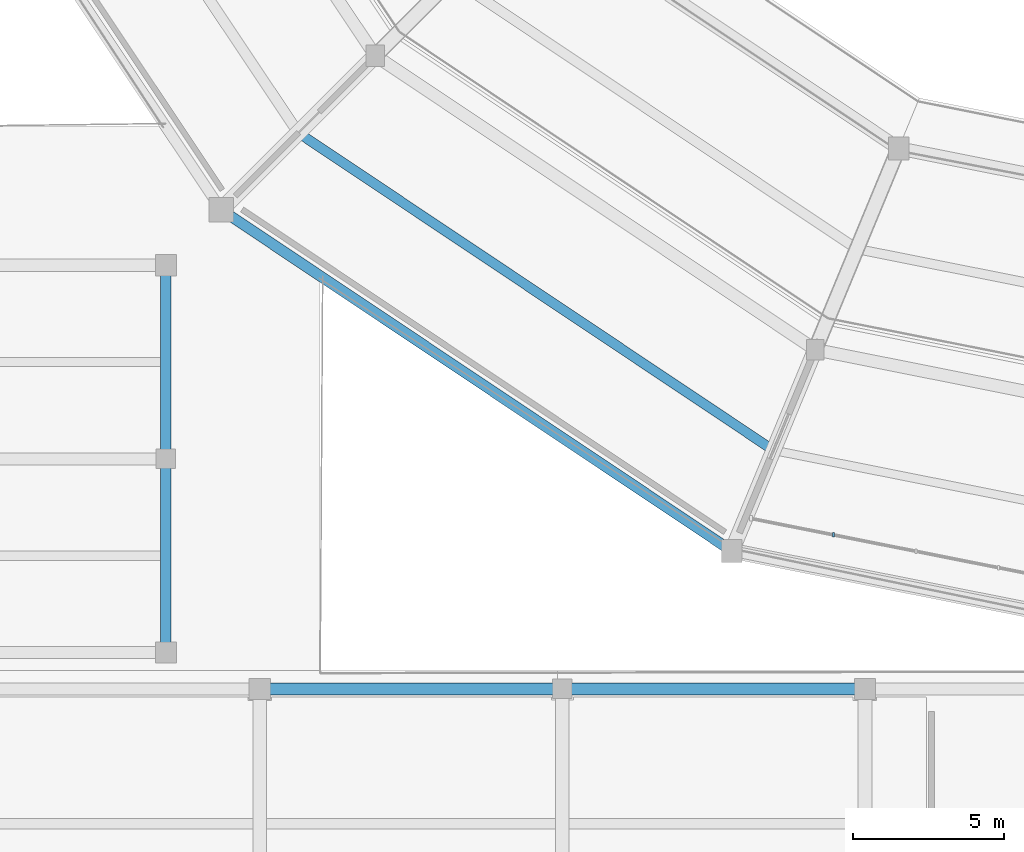
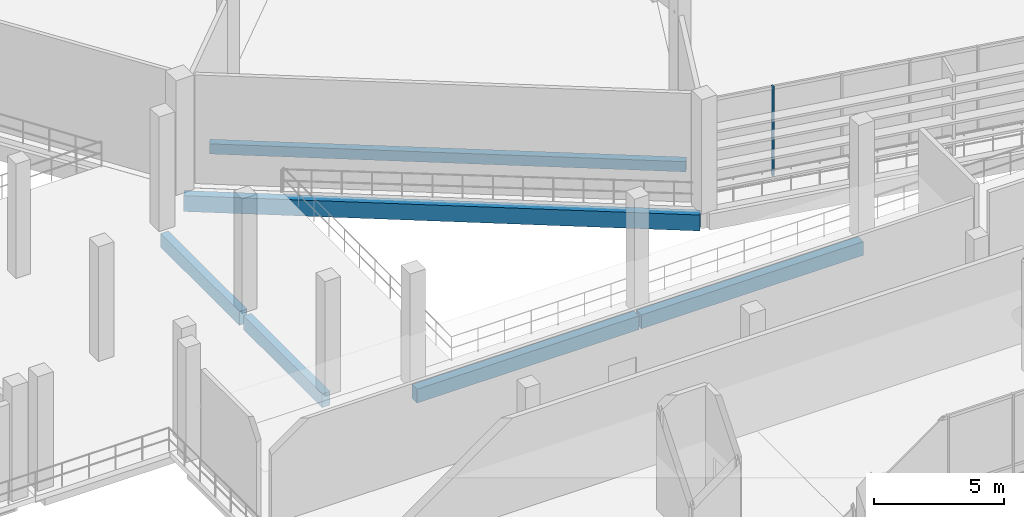
# One storey, part 14 of 127: 6 beams, 1 member, 1 element without a shape of its own.
"""IFC4 building model written with IfcOpenShell, lengths in metres."""

from ifc_helpers import new_model, si_unit, direction, frame, origin, origin_2d, place, context, subcontext, project, spatial, rectangle, extrude, material, material_profile, profile_set, type_object, element, aggregate, save


model = new_model("IFC4")

# Units and contexts
model_context = context("Model", 3, precision=1e-05, world=origin(), true_north=direction((0.0, 1.0)))
body_context = subcontext(model_context, "Body", "Model", "MODEL_VIEW")
ifc_project = project(units=[si_unit("LENGTHUNIT", "METRE"), si_unit("AREAUNIT", "SQUARE_METRE"), si_unit("VOLUMEUNIT", "CUBIC_METRE"), si_unit("PLANEANGLEUNIT", "RADIAN"), si_unit("MASSUNIT", "GRAM", prefix="KILO")], contexts=[model_context])

# Site, building, storey
site_placement = place(None, origin())
site = spatial("IfcSite", under=ifc_project, at=site_placement, CompositionType="ELEMENT")
building_placement = place(site_placement, origin())
building = spatial("IfcBuilding", under=site, at=building_placement, Name="Candeia Ridge Stadium", CompositionType="ELEMENT")
storey_placement = place(building_placement, frame((0.0, 0.0, 10.800048828125)))
storey = spatial("IfcBuildingStorey", under=building, at=storey_placement, Name="L02", CompositionType="ELEMENT", Elevation=10.800048828125)

# Curtain wall, member
ifc_material_1 = material(Name="Aluminium Anodized Warm Bronze", Category="aluminium")
curtain_wall_type = type_object("IfcCurtainWallType", Name="Concourse Recessed Unitised Curtain Wall", PredefinedType="NOTDEFINED", material=ifc_material_1)
curtain_wall_placement = place(storey_placement, origin())
curtain_wall = element("IfcCurtainWall", 1, at=curtain_wall_placement, inside=storey, type_object=curtain_wall_type, Name="Unitised curtain wall CW-BWL-L02-17", PredefinedType="NOTDEFINED")
ifc_material_profile_1 = material_profile(ifc_material_1, rectangle(XDim=0.074951171875, YDim=0.14990234375, at=origin_2d()), Name="CWM-75x150", Category="aluminium")
ifc_profile_set_1 = profile_set([ifc_material_profile_1], Name="Aluminium Anodized Warm Bronze")
member_type = type_object("IfcMemberType", Name="Curtain Wall Secondary Mullion 75x150", PredefinedType="MULLION", material=ifc_profile_set_1)
member_placement = place(storey_placement, frame((54.462890625, 23.489501953125, 0.0), z_axis=(0.0, 0.0, 1.0), x_axis=(1.0, 0.0, 0.0)))
member = element("IfcMember", 2, at=member_placement, type_object=member_type, Name="Curtain wall mullion CW-BWL-L02-17-M1", PredefinedType="MULLION", context=body_context, shape_type="SweptSolid", body=[
    extrude(rectangle(XDim=0.074951171875, YDim=0.14990234375, at=origin_2d()), origin(), (0.0, 0.0, 1.0), 4.21484375),
])
aggregate(curtain_wall, [member])

# Beams
ifc_material_2 = material(Name="Concrete C40/50", Category="concrete")
ifc_material_profile_2 = material_profile(ifc_material_2, rectangle(XDim=0.320068359375, YDim=0.47998046875, at=origin_2d()), Name="RC320x480", Category="concrete")
ifc_profile_set_2 = profile_set([ifc_material_profile_2], Name="Concrete C40/50")
beam_type_1 = type_object("IfcBeamType", Name="Floor Joist RC320x480", PredefinedType="JOIST", material=ifc_profile_set_2)
beam_1_placement = place(storey_placement, frame((36.960693359375, 36.652587890625, -0.5), z_axis=(0.831467306639, -0.555573683674, 0.0), x_axis=(0.555573683674, 0.831467306639, 0.0)))
element("IfcBeam", 3, at=beam_1_placement, inside=storey, type_object=beam_type_1, Name="Concourse secondary joist BM-L02-0392", PredefinedType="JOIST", context=body_context, shape_type="SweptSolid", body=[
    extrude(rectangle(XDim=0.320068359375, YDim=0.47998046875, at=origin_2d()), origin(), (0.0, 0.0, 1.0), 18.440673828125),
])
ifc_material_profile_3 = material_profile(ifc_material_2, rectangle(XDim=0.35009765625, YDim=0.64990234375, at=origin_2d()), Name="RC350x650", Category="concrete")
ifc_profile_set_3 = profile_set([ifc_material_profile_3], Name="Concrete C40/50")
beam_type_2 = type_object("IfcBeamType", Name="Spandrel Beam RC350x650", PredefinedType="SPANDREL", material=ifc_profile_set_3)
for number, where, z_axis, x_axis, name in (
    (4, (32.39990234375, 19.760009765625, -0.5849609375), (0.0, 1.0, 0.0), (-1.0, 0.0, 0.0), "Structural girder BM-L02-2234"),
    (5, (32.39990234375, 26.159912109375, -0.5849609375), (0.0, 1.0, 0.0), (-1.0, 0.0, 0.0), "Structural girder BM-L02-2235"),
):
    element("IfcBeam", number, at=place(storey_placement, frame(where, z_axis=z_axis, x_axis=x_axis)), inside=storey, type_object=beam_type_2, Name=name, PredefinedType="SPANDREL", context=body_context, shape_type="SweptSolid", body=[
        extrude(rectangle(XDim=0.35009765625, YDim=0.64990234375, at=origin_2d()), origin(), (0.0, 0.0, 1.0), 6.080078125),
    ])
ifc_material_3 = material(Name="Concrete C45/55", Category="concrete")
ifc_material_profile_4 = material_profile(ifc_material_3, rectangle(XDim=0.35009765625, YDim=0.75, at=origin_2d()), Name="RC350x750", Category="concrete")
ifc_profile_set_4 = profile_set([ifc_material_profile_4], Name="Concrete C45/55")
beam_type_3 = type_object("IfcBeamType", Name="Spandrel Beam RC350x750", PredefinedType="SPANDREL", material=ifc_profile_set_4)
beam_2_placement = place(storey_placement, frame((34.363525390625, 34.1416015625, -0.635009765625), z_axis=(0.831468647505, -0.555571676938, 0.0), x_axis=(0.555571676938, 0.831468647505, 0.0)))
element("IfcBeam", 6, at=beam_2_placement, inside=storey, type_object=beam_type_3, Name="Bowl perimeter spandrel BM-L02-0390", PredefinedType="SPANDREL", context=body_context, shape_type="SweptSolid", body=[
    extrude(rectangle(XDim=0.35009765625, YDim=0.75, at=origin_2d()), origin(), (0.0, 0.0, 1.0), 19.969482421875),
])
ifc_material_profile_5 = material_profile(ifc_material_2, rectangle(XDim=0.39990234375, YDim=0.64990234375, at=origin_2d()), Name="RC400x650", Category="concrete")
ifc_profile_set_5 = profile_set([ifc_material_profile_5], Name="Concrete C40/50")
beam_type_4 = type_object("IfcBeamType", Name="Wing Primary Girder RC400x650", PredefinedType="BEAM", material=ifc_profile_set_5)
for number, where, z_axis, x_axis, name in (
    (7, (35.550048828125, 18.39990234375, -0.5849609375), (1.0, 0.0, 0.0), (0.0, 1.0, 0.0), "Structural girder BM-L02-2129"),
    (8, (45.550048828125, 18.39990234375, -0.5849609375), (1.0, 0.0, 0.0), (0.0, 1.0, 0.0), "Structural girder BM-L02-2134"),
):
    element("IfcBeam", number, at=place(storey_placement, frame(where, z_axis=z_axis, x_axis=x_axis)), inside=storey, type_object=beam_type_4, Name=name, PredefinedType="BEAM", context=body_context, shape_type="SweptSolid", body=[
        extrude(rectangle(XDim=0.39990234375, YDim=0.64990234375, at=origin_2d()), origin(), (0.0, 0.0, 1.0), 9.89990234375),
    ])

save(model, "model.ifc")
